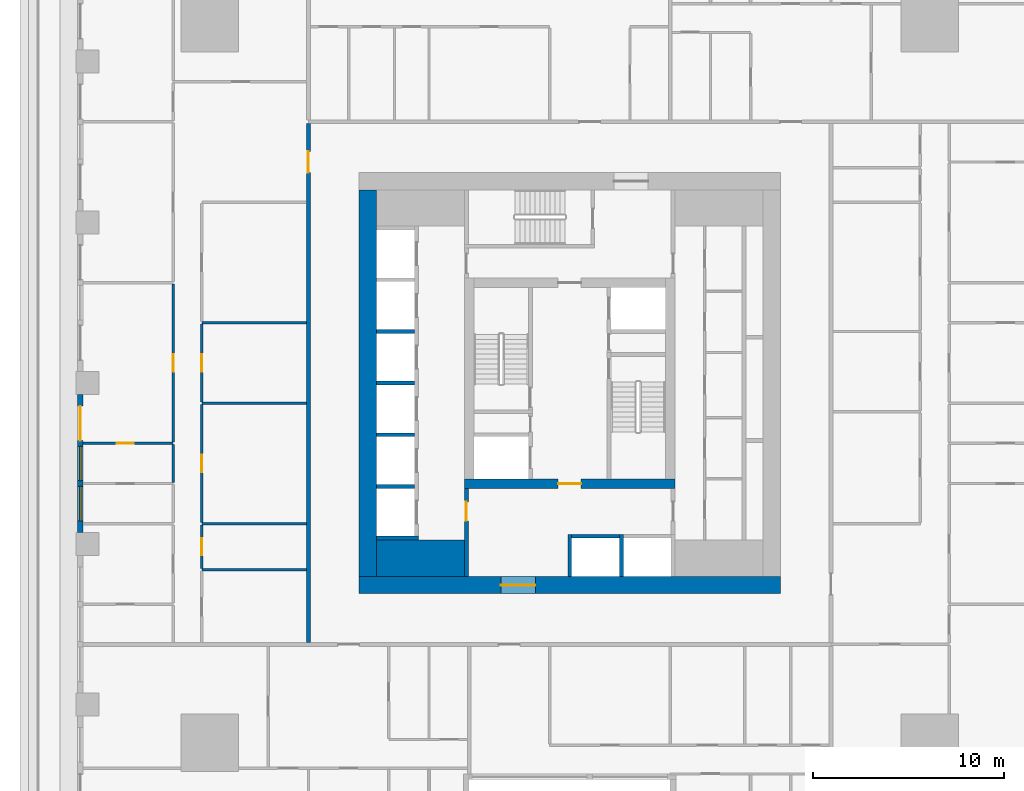
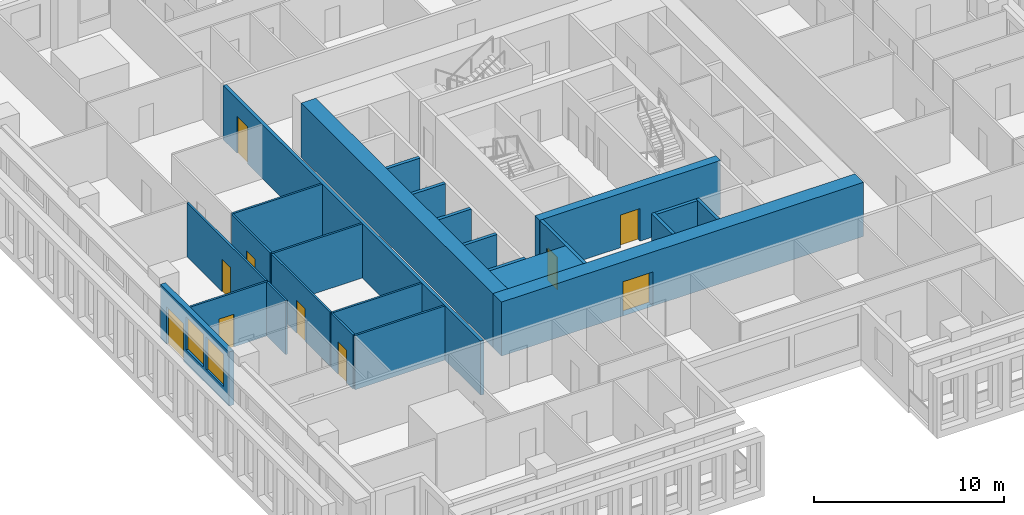
# One storey, part 3 of 15: 25 walls, 10 doors, 2 windows, 12 openings.
"""IFC4 building model written with IfcOpenShell, lengths in metres."""

from ifc_helpers import new_model, si_unit, direction, frame, frame_2d, origin, place, context, subcontext, project, spatial, rectangle, extrude, material, layer, layer_set, type_object, element, fill, save


model = new_model("IFC4")

# Units and contexts
model_context = context("Model", 3, precision=1e-05, world=origin(), true_north=direction((0.0, 1.0)))
body_context = subcontext(model_context, "Body", "Model", "MODEL_VIEW")
ifc_project = project(units=[si_unit("LENGTHUNIT", "METRE"), si_unit("AREAUNIT", "SQUARE_METRE"), si_unit("VOLUMEUNIT", "CUBIC_METRE"), si_unit("PLANEANGLEUNIT", "RADIAN"), si_unit("MASSUNIT", "GRAM", prefix="KILO")], contexts=[model_context])

# Site, building, storey
site_placement = place(None, origin())
site = spatial("IfcSite", under=ifc_project, at=site_placement, CompositionType="ELEMENT")
building_placement = place(site_placement, origin())
building = spatial("IfcBuilding", under=site, at=building_placement, Name="Khepri Terraces", CompositionType="ELEMENT")
storey_placement = place(building_placement, frame((0.0, 0.0, 38.699951171875)))
storey = spatial("IfcBuildingStorey", under=building, at=storey_placement, Name="L08", CompositionType="ELEMENT", Elevation=38.699951171875)

# Walls
ifc_material_1 = material(Name="Concrete C80/95", Category="concrete")
ifc_layer_1 = layer(ifc_material_1, 1.89990234375, Name="Concrete C80/95", Category="concrete")
ifc_layer_set_1 = layer_set([ifc_layer_1], Name="Concrete C80/95")
wall_type_1 = type_object("IfcWallType", Name="Core wall 1900 C80/95", PredefinedType="SHEAR", material=ifc_layer_set_1)
wall_1_placement = place(storey_placement, frame((-10.10009765625, -9.14990234375, 0.0), z_axis=(0.0, 0.0, 1.0), x_axis=(1.0, 0.0, 0.0)))
element("IfcWall", 1, at=wall_1_placement, inside=storey, type_object=wall_type_1, Name="Core wall PR01 L08", PredefinedType="SHEAR", context=body_context, shape_type="SweptSolid", body=[
    extrude(rectangle(XDim=4.60009765625, YDim=1.89990234375, at=frame_2d((2.300048828125, 0.0))), origin(), (0.0, 0.0, 1.0), 3.47998046875),
])
ifc_layer_2 = layer(ifc_material_1, 0.199951171875, Name="Concrete C80/95", Category="concrete")
ifc_layer_set_2 = layer_set([ifc_layer_2], Name="Concrete C80/95")
wall_type_2 = type_object("IfcWallType", Name="Core wall 200 C80/95", PredefinedType="SHEAR", material=ifc_layer_set_2)
for number, where, z_axis, x_axis, name in (
    (2, (0.0, -10.10009765625, 0.0), (0.0, 0.0, 1.0), (0.0, 1.0, 0.0), "Core wall SH01 L08"),
    (3, (2.699951171875, -10.10009765625, 0.0), (0.0, 0.0, 1.0), (0.0, 1.0, 0.0), "Core wall SH02 L08"),
    (4, (-10.10009765625, -8.10009765625, 0.0), (0.0, 0.0, 1.0), (1.0, 0.0, 0.0), "Core wall SH04 L08"),
):
    element("IfcWall", number, at=place(storey_placement, frame(where, z_axis=z_axis, x_axis=x_axis)), inside=storey, type_object=wall_type_2, Name=name, PredefinedType="SHEAR", context=body_context, shape_type="SweptSolid", body=[
        extrude(rectangle(XDim=2.2001953125, YDim=0.199951171875, at=frame_2d((1.10009765625, 0.0))), origin(), (0.0, 0.0, 1.0), 3.47998046875),
    ])
wall_2_placement = place(storey_placement, frame((0.10009765625, -8.0, 0.0), z_axis=(0.0, 0.0, 1.0), x_axis=(1.0, 0.0, 0.0)))
element("IfcWall", 5, at=wall_2_placement, inside=storey, type_object=wall_type_2, Name="Core wall SH06 L08", PredefinedType="SHEAR", context=body_context, shape_type="SweptSolid", body=[
    extrude(rectangle(XDim=2.5, YDim=0.199951171875, at=frame_2d((1.25, 0.0))), origin(), (0.0, 0.0, 1.0), 3.47998046875),
])
for number, where, z_axis, x_axis, name in (
    (6, (-10.10009765625, -5.39990234375, 0.0), (0.0, 0.0, 1.0), (1.0, 0.0, 0.0), "Core wall SH09 L08"),
    (7, (-10.10009765625, -2.699951171875, 0.0), (0.0, 0.0, 1.0), (1.0, 0.0, 0.0), "Core wall SH12 L08"),
    (8, (-10.10009765625, 0.0, 0.0), (0.0, 0.0, 1.0), (1.0, 0.0, 0.0), "Core wall SH14 L08"),
    (9, (-10.10009765625, 2.699951171875, 0.0), (0.0, 0.0, 1.0), (1.0, 0.0, 0.0), "Core wall SH17 L08"),
):
    element("IfcWall", number, at=place(storey_placement, frame(where, z_axis=z_axis, x_axis=x_axis)), inside=storey, type_object=wall_type_2, Name=name, PredefinedType="SHEAR", context=body_context, shape_type="SweptSolid", body=[
        extrude(rectangle(XDim=2.0, YDim=0.199951171875, at=frame_2d((1.0, 0.0))), origin(), (0.0, 0.0, 1.0), 3.47998046875),
    ])

# Wall, opening, door
ifc_layer_3 = layer(ifc_material_1, 0.5, Name="Concrete C80/95", Category="concrete")
ifc_layer_set_3 = layer_set([ifc_layer_3], Name="Concrete C80/95")
wall_type_3 = type_object("IfcWallType", Name="Core wall 500 C80/95", PredefinedType="SHEAR", material=ifc_layer_set_3)
wall_3_placement = place(storey_placement, frame((-5.5, -5.25, 0.0), z_axis=(0.0, 0.0, 1.0), x_axis=(1.0, 0.0, 0.0)))
wall_3 = element("IfcWall", 10, at=wall_3_placement, inside=storey, type_object=wall_type_3, Name="Core wall BX01 L08", PredefinedType="SHEAR", context=body_context, shape_type="SweptSolid", body=[
    extrude(rectangle(XDim=11.0, YDim=0.5, at=frame_2d((5.5, 0.0))), origin(), (0.0, 0.0, 1.0), 3.47998046875),
])
opening_1_placement = place(wall_3_placement, frame((4.89990234375, 0.0, 0.0)))
opening_1 = element("IfcOpeningElement", 11, at=opening_1_placement, cuts=wall_3, Name="Opening L08-C14", PredefinedType="OPENING", context=body_context, shape_type="SweptSolid", body=[
    extrude(rectangle(XDim=1.199951171875, YDim=2.10009765625, at=frame_2d((0.60009765625, 1.050048828125))), frame((0.0, 0.260009765625, 0.0), z_axis=(0.0, -1.0, 0.0), x_axis=(1.0, 0.0, 0.0)), (0.0, 0.0, 1.0), 0.52001953125),
])
ifc_material_2 = material(Name="Painted steel", Category="steel")
door_type_1 = type_object("IfcDoorType", Name="DR-CORE-FF-LOBBY-1200", OperationType="NOTDEFINED", PredefinedType="DOOR", material=ifc_material_2)
door_1_placement = place(opening_1_placement, origin())
door_1 = element("IfcDoor", 12, at=door_1_placement, inside=storey, type_object=door_type_1, Name="Firefighting lobby door L08-C14", OperationType="SINGLE_SWING_RIGHT", OverallHeight=2.10009765625, OverallWidth=1.199951171875, PredefinedType="DOOR", context=body_context, shape_type="SweptSolid", body=[
    extrude(rectangle(XDim=1.199951171875, YDim=2.10009765625, at=frame_2d((0.60009765625, 1.050048828125))), frame((0.0, 0.02490234375, 0.0), z_axis=(0.0, -1.0, 0.0), x_axis=(1.0, 0.0, 0.0)), (0.0, 0.0, 1.0), 0.050048828125),
])
fill(opening_1, door_1)

ifc_layer_4 = layer(ifc_material_1, 0.89990234375, Name="Concrete C80/95", Category="concrete")
ifc_layer_set_4 = layer_set([ifc_layer_4], Name="Concrete C80/95")
wall_type_4 = type_object("IfcWallType", Name="Core wall 900 C80/95", PredefinedType="SHEAR", material=ifc_layer_set_4)
wall_4_placement = place(storey_placement, frame((-11.0, -10.550048828125, 0.0), z_axis=(0.0, 0.0, 1.0), x_axis=(1.0, 0.0, 0.0)))
wall_4 = element("IfcWall", 13, at=wall_4_placement, inside=storey, type_object=wall_type_4, Name="Core wall OW-S L08", PredefinedType="SHEAR", context=body_context, shape_type="SweptSolid", body=[
    extrude(rectangle(XDim=22.0, YDim=0.89990234375, at=frame_2d((11.0, 0.0))), origin(), (0.0, 0.0, 1.0), 3.47998046875),
])
opening_2_placement = place(wall_4_placement, frame((7.39990234375, 0.0, 0.0)))
opening_2 = element("IfcOpeningElement", 14, at=opening_2_placement, cuts=wall_4, Name="Opening L08-C21", PredefinedType="OPENING", context=body_context, shape_type="SweptSolid", body=[
    extrude(rectangle(XDim=1.800048828125, YDim=2.199951171875, at=frame_2d((0.89990234375, 1.10009765625))), frame((0.0, 0.4599609375, 0.0), z_axis=(0.0, -1.0, 0.0), x_axis=(1.0, 0.0, 0.0)), (0.0, 0.0, 1.0), 0.919921875),
])
door_type_2 = type_object("IfcDoorType", Name="DR-CORE-ENTRANCE-1800", OperationType="NOTDEFINED", PredefinedType="DOOR", material=ifc_material_2)
door_2_placement = place(opening_2_placement, frame((1.800048828125, 0.0, 0.0), z_axis=(0.0, 0.0, 1.0), x_axis=(-1.0, 0.0, 0.0)))
door_2 = element("IfcDoor", 15, at=door_2_placement, inside=storey, type_object=door_type_2, Name="Core entrance door pair L08-C21", OperationType="DOUBLE_DOOR_SINGLE_SWING", OverallHeight=2.199951171875, OverallWidth=1.800048828125, PredefinedType="DOOR", context=body_context, shape_type="SweptSolid", body=[
    extrude(rectangle(XDim=1.800048828125, YDim=2.199951171875, at=frame_2d((0.89990234375, 1.10009765625))), frame((0.0, 0.02490234375, 0.0), z_axis=(0.0, -1.0, 0.0), x_axis=(1.0, 0.0, 0.0)), (0.0, 0.0, 1.0), 0.050048828125),
])
fill(opening_2, door_2)

# Wall
wall_5_placement = place(storey_placement, frame((-10.550048828125, -10.10009765625, 0.0), z_axis=(0.0, 0.0, 1.0), x_axis=(0.0, 1.0, 0.0)))
element("IfcWall", 16, at=wall_5_placement, inside=storey, type_object=wall_type_4, Name="Core wall OW-W L08", PredefinedType="SHEAR", context=body_context, shape_type="SweptSolid", body=[
    extrude(rectangle(XDim=20.2001953125, YDim=0.89990234375, at=frame_2d((10.10009765625, 0.0))), origin(), (0.0, 0.0, 1.0), 3.47998046875),
])

# Wall, opening, door
ifc_material_3 = material(Name="Fire-rated gypsum board partition")
ifc_layer_5 = layer(ifc_material_3, 0.199951171875, Name="Fire-rated gypsum board partition")
ifc_layer_set_5 = layer_set([ifc_layer_5], Name="Fire-rated gypsum board partition")
wall_type_5 = type_object("IfcWallType", Name="WL-CORE-PART-200", PredefinedType="PARTITIONING", material=ifc_layer_set_5)
wall_6_placement = place(storey_placement, frame((-5.39990234375, -10.10009765625, 0.0), z_axis=(0.0, 0.0, 1.0), x_axis=(0.0, 1.0, 0.0)))
wall_6 = element("IfcWall", 17, at=wall_6_placement, inside=storey, type_object=wall_type_5, Name="Core partition PT01 L08", PredefinedType="PARTITIONING", context=body_context, shape_type="SweptSolid", body=[
    extrude(rectangle(XDim=4.60009765625, YDim=0.199951171875, at=frame_2d((2.300048828125, 0.0))), origin(), (0.0, 0.0, 1.0), 3.47998046875),
])
opening_3_placement = place(wall_6_placement, frame((2.89990234375, 0.0, 0.0)))
opening_3 = element("IfcOpeningElement", 18, at=opening_3_placement, cuts=wall_6, Name="Opening L08-C18", PredefinedType="OPENING", context=body_context, shape_type="SweptSolid", body=[
    extrude(rectangle(XDim=1.0, YDim=2.10009765625, at=frame_2d((0.5, 1.050048828125))), frame((0.0, 0.10986328125, 0.0), z_axis=(0.0, -1.0, 0.0), x_axis=(1.0, 0.0, 0.0)), (0.0, 0.0, 1.0), 0.219970703125),
])
door_type_3 = type_object("IfcDoorType", Name="DR-CORE-LOBBY-1000", OperationType="NOTDEFINED", PredefinedType="DOOR", material=ifc_material_2)
door_3_placement = place(opening_3_placement, frame((1.0, 0.0, 0.0), z_axis=(0.0, 0.0, 1.0), x_axis=(-1.0, 0.0, 0.0)))
door_3 = element("IfcDoor", 19, at=door_3_placement, inside=storey, type_object=door_type_3, Name="Lobby door L08-C18", OperationType="SINGLE_SWING_LEFT", OverallHeight=2.10009765625, OverallWidth=1.0, PredefinedType="DOOR", context=body_context, shape_type="SweptSolid", body=[
    extrude(rectangle(XDim=1.0, YDim=2.10009765625, at=frame_2d((0.5, 1.050048828125))), frame((0.0, 0.02490234375, 0.0), z_axis=(0.0, -1.0, 0.0), x_axis=(1.0, 0.0, 0.0)), (0.0, 0.0, 1.0), 0.050048828125),
])
fill(opening_3, door_3)

ifc_material_4 = material(Name="Fire-rated gypsum plasterboard partition, mineral wool")
ifc_layer_6 = layer(ifc_material_4, 0.199951171875, Name="Fire-rated gypsum plasterboard partition, mineral wool")
ifc_layer_set_6 = layer_set([ifc_layer_6], Name="Fire-rated gypsum plasterboard partition, mineral wool")
wall_type_6 = type_object("IfcWallType", Name="WL-CORR-200", PredefinedType="PARTITIONING", material=ifc_layer_set_6)
wall_7_placement = place(storey_placement, frame((-13.64990234375, -13.550048828125, 0.0), z_axis=(0.0, 0.0, 1.0), x_axis=(0.0, 1.0, 0.0)))
wall_7 = element("IfcWall", 20, at=wall_7_placement, inside=storey, type_object=wall_type_6, Name="Partition P-028 L08", PredefinedType="PARTITIONING", context=body_context, shape_type="SweptSolid", body=[
    extrude(rectangle(XDim=27.10009765625, YDim=0.199951171875, at=frame_2d((13.550048828125, 0.0))), origin(), (0.0, 0.0, 1.0), 3.47998046875),
])
opening_4_placement = place(wall_7_placement, frame((24.550048828125, 0.0, 0.0)))
opening_4 = element("IfcOpeningElement", 21, at=opening_4_placement, cuts=wall_7, Name="Opening D1", PredefinedType="OPENING", context=body_context, shape_type="SweptSolid", body=[
    extrude(rectangle(XDim=1.10009765625, YDim=2.39990234375, at=frame_2d((0.550048828125, 1.199951171875))), frame((0.0, 0.10986328125, 0.0), z_axis=(0.0, -1.0, 0.0), x_axis=(1.0, 0.0, 0.0)), (0.0, 0.0, 1.0), 0.219970703125),
])
ifc_material_5 = material(Name="Solid-core timber door leaf, flat entrance door", Category="wood")
door_type_4 = type_object("IfcDoorType", Name="DR-ENT-1100", OperationType="NOTDEFINED", PredefinedType="DOOR", material=ifc_material_5)
door_4_placement = place(opening_4_placement, origin())
door_4 = element("IfcDoor", 22, at=door_4_placement, inside=storey, type_object=door_type_4, Name="Flat D1 entrance door", OperationType="SINGLE_SWING_RIGHT", OverallHeight=2.39990234375, OverallWidth=1.10009765625, PredefinedType="DOOR", context=body_context, shape_type="SweptSolid", body=[
    extrude(rectangle(XDim=1.10009765625, YDim=2.39990234375, at=frame_2d((0.550048828125, 1.199951171875))), frame((0.0, 0.02490234375, 0.0), z_axis=(0.0, -1.0, 0.0), x_axis=(1.0, 0.0, 0.0)), (0.0, 0.0, 1.0), 0.050048828125),
])
fill(opening_4, door_4)

# Wall, openings, door, windows
ifc_material_6 = material(Name="Precast concrete C50/60 warm stone", Category="masonry")
ifc_layer_7 = layer(ifc_material_6, 0.300048828125, Name="Precast concrete C50/60 warm stone", Category="masonry")
ifc_layer_set_7 = layer_set([ifc_layer_7], Name="Precast concrete C50/60 warm stone")
wall_type_7 = type_object("IfcWallType", Name="WL-EXT-PRECAST-300", PredefinedType="STANDARD", material=ifc_layer_set_7)
wall_8_placement = place(storey_placement, frame((-25.570068359375, -0.60009765625, 0.0), z_axis=(0.0, 0.0, 1.0), x_axis=(0.0, -1.0, 0.0)))
wall_8 = element("IfcWall", 23, at=wall_8_placement, inside=storey, type_object=wall_type_7, Name="External wall L08 W", PredefinedType="STANDARD", context=body_context, shape_type="SweptSolid", body=[
    extrude(rectangle(XDim=7.199951171875, YDim=0.300048828125, at=frame_2d((3.60009765625, 0.0))), origin(), (0.0, 0.0, 1.0), 3.47998046875),
])
opening_5_placement = place(wall_8_placement, frame((0.60009765625, 0.0, 0.0)))
opening_5 = element("IfcOpeningElement", 24, at=opening_5_placement, cuts=wall_8, Name="Opening ED-L08-17", PredefinedType="OPENING", context=body_context, shape_type="SweptSolid", body=[
    extrude(rectangle(XDim=1.800048828125, YDim=2.39990234375, at=frame_2d((0.89990234375, 1.199951171875))), frame((0.0, 0.16015625, 0.0), z_axis=(0.0, -1.0, 0.0), x_axis=(1.0, 0.0, 0.0)), (0.0, 0.0, 1.0), 0.320068359375),
])
opening_6_placement = place(wall_8_placement, frame((2.699951171875, 0.0, 0.89990234375)))
opening_6 = element("IfcOpeningElement", 25, at=opening_6_placement, cuts=wall_8, Name="Opening W1", PredefinedType="OPENING", context=body_context, shape_type="SweptSolid", body=[
    extrude(rectangle(XDim=1.800048828125, YDim=2.10009765625, at=frame_2d((0.89990234375, 1.050048828125))), frame((0.0, 0.16015625, 0.0), z_axis=(0.0, -1.0, 0.0), x_axis=(1.0, 0.0, 0.0)), (0.0, 0.0, 1.0), 0.320068359375),
])
opening_7_placement = place(wall_8_placement, frame((4.800048828125, 0.0, 0.89990234375)))
opening_7 = element("IfcOpeningElement", 26, at=opening_7_placement, cuts=wall_8, Name="Opening W1", PredefinedType="OPENING", context=body_context, shape_type="SweptSolid", body=[
    extrude(rectangle(XDim=1.800048828125, YDim=2.10009765625, at=frame_2d((0.89990234375, 1.050048828125))), frame((0.0, 0.16015625, 0.0), z_axis=(0.0, -1.0, 0.0), x_axis=(1.0, 0.0, 0.0)), (0.0, 0.0, 1.0), 0.320068359375),
])
ifc_material_7 = material(Name="Anodised aluminium bronze glazed door", Category="aluminium")
door_type_5 = type_object("IfcDoorType", Name="DR-BAL-SLIDE-1800x2400", OperationType="NOTDEFINED", PredefinedType="DOOR", material=ifc_material_7)
door_5_placement = place(opening_5_placement, origin())
door_5 = element("IfcDoor", 27, at=door_5_placement, inside=storey, type_object=door_type_5, Name="Balcony door L08 W", OperationType="SLIDING_TO_LEFT", OverallHeight=2.39990234375, OverallWidth=1.800048828125, PredefinedType="DOOR", context=body_context, shape_type="SweptSolid", body=[
    extrude(rectangle(XDim=1.800048828125, YDim=2.39990234375, at=frame_2d((0.89990234375, 1.199951171875))), frame((0.0, 0.02490234375, 0.0), z_axis=(0.0, -1.0, 0.0), x_axis=(1.0, 0.0, 0.0)), (0.0, 0.0, 1.0), 0.050048828125),
])
fill(opening_5, door_5)
ifc_material_8 = material(Name="Clear glass", Category="glass")
window_type = type_object("IfcWindowType", Name="WIN-RES-1800x2100", PartitioningType="SINGLE_PANEL", PredefinedType="WINDOW", material=ifc_material_8)
window_1_placement = place(opening_6_placement, origin())
window_1 = element("IfcWindow", 28, at=window_1_placement, inside=storey, type_object=window_type, Name="Window L08 W", OverallHeight=2.10009765625, OverallWidth=1.800048828125, PartitioningType="SINGLE_PANEL", PredefinedType="WINDOW", context=body_context, shape_type="SweptSolid", body=[
    extrude(rectangle(XDim=1.800048828125, YDim=2.10009765625, at=frame_2d((0.89990234375, 1.050048828125))), frame((0.0, 0.030029296875, 0.0), z_axis=(0.0, -1.0, 0.0), x_axis=(1.0, 0.0, 0.0)), (0.0, 0.0, 1.0), 0.06005859375),
])
fill(opening_6, window_1)
window_2_placement = place(opening_7_placement, origin())
window_2 = element("IfcWindow", 29, at=window_2_placement, inside=storey, type_object=window_type, Name="Window L08 W", OverallHeight=2.10009765625, OverallWidth=1.800048828125, PartitioningType="SINGLE_PANEL", PredefinedType="WINDOW", context=body_context, shape_type="SweptSolid", body=[
    extrude(rectangle(XDim=1.800048828125, YDim=2.10009765625, at=frame_2d((0.89990234375, 1.050048828125))), frame((0.0, 0.030029296875, 0.0), z_axis=(0.0, -1.0, 0.0), x_axis=(1.0, 0.0, 0.0)), (0.0, 0.0, 1.0), 0.06005859375),
])
fill(opening_7, window_2)

# Wall
ifc_material_9 = material(Name="Gypsum plasterboard partition")
ifc_layer_8 = layer(ifc_material_9, 0.1201171875, Name="Gypsum plasterboard partition")
ifc_layer_set_8 = layer_set([ifc_layer_8], Name="Gypsum plasterboard partition")
wall_type_8 = type_object("IfcWallType", Name="WL-PART-120", PredefinedType="PARTITIONING", material=ifc_layer_set_8)
wall_9_placement = place(storey_placement, frame((-19.219970703125, -9.75, 0.0), z_axis=(0.0, 0.0, 1.0), x_axis=(1.0, 0.0, 0.0)))
element("IfcWall", 30, at=wall_9_placement, inside=storey, type_object=wall_type_8, Name="Partition P-034 L08", PredefinedType="PARTITIONING", context=body_context, shape_type="SweptSolid", body=[
    extrude(rectangle(XDim=5.469970703125, YDim=0.1201171875, at=frame_2d((2.73486328125, 0.0))), origin(), (0.0, 0.0, 1.0), 3.47998046875),
])

# Wall, opening, door
wall_10_placement = place(storey_placement, frame((-19.219970703125, -9.68994140625, 0.0), z_axis=(0.0, 0.0, 1.0), x_axis=(0.0, 1.0, 0.0)))
wall_10 = element("IfcWall", 31, at=wall_10_placement, inside=storey, type_object=wall_type_8, Name="Partition P-035 L08", PredefinedType="PARTITIONING", context=body_context, shape_type="SweptSolid", body=[
    extrude(rectangle(XDim=2.280029296875, YDim=0.1201171875, at=frame_2d((1.14013671875, 0.0))), origin(), (0.0, 0.0, 1.0), 3.47998046875),
])
opening_8_placement = place(wall_10_placement, frame((0.68994140625, 0.0, 0.0)))
opening_8 = element("IfcOpeningElement", 32, at=opening_8_placement, cuts=wall_10, Name="Opening D4", PredefinedType="OPENING", context=body_context, shape_type="SweptSolid", body=[
    extrude(rectangle(XDim=0.89990234375, YDim=2.10009765625, at=frame_2d((0.449951171875, 1.050048828125))), frame((0.0, 0.070068359375, 0.0), z_axis=(0.0, -1.0, 0.0), x_axis=(1.0, 0.0, 0.0)), (0.0, 0.0, 1.0), 0.14013671875),
])
ifc_material_10 = material(Name="Timber door leaf, moisture resistant", Category="wood")
door_type_6 = type_object("IfcDoorType", Name="DR-WET-900", OperationType="NOTDEFINED", PredefinedType="DOOR", material=ifc_material_10)
door_6_placement = place(opening_8_placement, frame((0.89990234375, 0.0, 0.0), z_axis=(0.0, 0.0, 1.0), x_axis=(-1.0, 0.0, 0.0)))
door_6 = element("IfcDoor", 33, at=door_6_placement, inside=storey, type_object=door_type_6, Name="Door Powder Room", OperationType="SINGLE_SWING_RIGHT", OverallHeight=2.10009765625, OverallWidth=0.89990234375, PredefinedType="DOOR", context=body_context, shape_type="SweptSolid", body=[
    extrude(rectangle(XDim=0.89990234375, YDim=2.10009765625, at=frame_2d((0.449951171875, 1.050048828125))), frame((0.0, 0.02490234375, 0.0), z_axis=(0.0, -1.0, 0.0), x_axis=(1.0, 0.0, 0.0)), (0.0, 0.0, 1.0), 0.050048828125),
])
fill(opening_8, door_6)

# Wall
wall_11_placement = place(storey_placement, frame((-19.219970703125, -7.35009765625, 0.0), z_axis=(0.0, 0.0, 1.0), x_axis=(1.0, 0.0, 0.0)))
element("IfcWall", 34, at=wall_11_placement, inside=storey, type_object=wall_type_8, Name="Partition P-037 L08", PredefinedType="PARTITIONING", context=body_context, shape_type="SweptSolid", body=[
    extrude(rectangle(XDim=5.469970703125, YDim=0.1201171875, at=frame_2d((2.73486328125, 0.0))), origin(), (0.0, 0.0, 1.0), 3.47998046875),
])

# Wall, opening, door
wall_12_placement = place(storey_placement, frame((-19.219970703125, -7.2900390625, 0.0), z_axis=(0.0, 0.0, 1.0), x_axis=(0.0, 1.0, 0.0)))
wall_12 = element("IfcWall", 35, at=wall_12_placement, inside=storey, type_object=wall_type_8, Name="Partition P-040 L08", PredefinedType="PARTITIONING", context=body_context, shape_type="SweptSolid", body=[
    extrude(rectangle(XDim=6.179931640625, YDim=0.1201171875, at=frame_2d((3.08984375, 0.0))), origin(), (0.0, 0.0, 1.0), 3.47998046875),
])
opening_9_placement = place(wall_12_placement, frame((2.639892578125, 0.0, 0.0)))
opening_9 = element("IfcOpeningElement", 36, at=opening_9_placement, cuts=wall_12, Name="Opening D3", PredefinedType="OPENING", context=body_context, shape_type="SweptSolid", body=[
    extrude(rectangle(XDim=0.89990234375, YDim=2.10009765625, at=frame_2d((0.449951171875, 1.050048828125))), frame((0.0, 0.070068359375, 0.0), z_axis=(0.0, -1.0, 0.0), x_axis=(1.0, 0.0, 0.0)), (0.0, 0.0, 1.0), 0.14013671875),
])
ifc_material_11 = material(Name="Timber door leaf", Category="wood")
door_type_7 = type_object("IfcDoorType", Name="DR-INT-900", OperationType="NOTDEFINED", PredefinedType="DOOR", material=ifc_material_11)
door_7_placement = place(opening_9_placement, frame((0.89990234375, 0.0, 0.0), z_axis=(0.0, 0.0, 1.0), x_axis=(-1.0, 0.0, 0.0)))
door_7 = element("IfcDoor", 37, at=door_7_placement, inside=storey, type_object=door_type_7, Name="Door Staff Bedroom", OperationType="SINGLE_SWING_LEFT", OverallHeight=2.10009765625, OverallWidth=0.89990234375, PredefinedType="DOOR", context=body_context, shape_type="SweptSolid", body=[
    extrude(rectangle(XDim=0.89990234375, YDim=2.10009765625, at=frame_2d((0.449951171875, 1.050048828125))), frame((0.0, 0.02490234375, 0.0), z_axis=(0.0, -1.0, 0.0), x_axis=(1.0, 0.0, 0.0)), (0.0, 0.0, 1.0), 0.050048828125),
])
fill(opening_9, door_7)

# Wall
wall_13_placement = place(storey_placement, frame((-20.719970703125, -5.18994140625, 0.0), z_axis=(0.0, 0.0, 1.0), x_axis=(0.0, 1.0, 0.0)))
element("IfcWall", 38, at=wall_13_placement, inside=storey, type_object=wall_type_8, Name="Partition P-044 L08", PredefinedType="PARTITIONING", context=body_context, shape_type="SweptSolid", body=[
    extrude(rectangle(XDim=1.97998046875, YDim=0.1201171875, at=frame_2d((0.989990234375, 0.0))), origin(), (0.0, 0.0, 1.0), 3.47998046875),
])

# Wall, opening, door
wall_14_placement = place(storey_placement, frame((-25.419921875, -3.14990234375, 0.0), z_axis=(0.0, 0.0, 1.0), x_axis=(1.0, 0.0, 0.0)))
wall_14 = element("IfcWall", 39, at=wall_14_placement, inside=storey, type_object=wall_type_8, Name="Partition P-046 L08", PredefinedType="PARTITIONING", context=body_context, shape_type="SweptSolid", body=[
    extrude(rectangle(XDim=4.699951171875, YDim=0.1201171875, at=frame_2d((2.35009765625, 0.0))), origin(), (0.0, 0.0, 1.0), 3.47998046875),
])
opening_10_placement = place(wall_14_placement, frame((1.75, 0.0, 0.0)))
opening_10 = element("IfcOpeningElement", 40, at=opening_10_placement, cuts=wall_14, Name="Opening D3", PredefinedType="OPENING", context=body_context, shape_type="SweptSolid", body=[
    extrude(rectangle(XDim=0.89990234375, YDim=2.10009765625, at=frame_2d((0.449951171875, 1.050048828125))), frame((0.0, 0.070068359375, 0.0), z_axis=(0.0, -1.0, 0.0), x_axis=(1.0, 0.0, 0.0)), (0.0, 0.0, 1.0), 0.14013671875),
])
door_8_placement = place(opening_10_placement, frame((0.89990234375, 0.0, 0.0), z_axis=(0.0, 0.0, 1.0), x_axis=(-1.0, 0.0, 0.0)))
door_8 = element("IfcDoor", 41, at=door_8_placement, inside=storey, type_object=door_type_7, Name="Door Dressing Room", OperationType="SINGLE_SWING_RIGHT", OverallHeight=2.10009765625, OverallWidth=0.89990234375, PredefinedType="DOOR", context=body_context, shape_type="SweptSolid", body=[
    extrude(rectangle(XDim=0.89990234375, YDim=2.10009765625, at=frame_2d((0.449951171875, 1.050048828125))), frame((0.0, 0.02490234375, 0.0), z_axis=(0.0, -1.0, 0.0), x_axis=(1.0, 0.0, 0.0)), (0.0, 0.0, 1.0), 0.050048828125),
])
fill(opening_10, door_8)

wall_15_placement = place(storey_placement, frame((-20.719970703125, -3.090087890625, 0.0), z_axis=(0.0, 0.0, 1.0), x_axis=(0.0, 1.0, 0.0)))
wall_15 = element("IfcWall", 42, at=wall_15_placement, inside=storey, type_object=wall_type_8, Name="Partition P-048 L08", PredefinedType="PARTITIONING", context=body_context, shape_type="SweptSolid", body=[
    extrude(rectangle(XDim=8.280029296875, YDim=0.1201171875, at=frame_2d((4.14013671875, 0.0))), origin(), (0.0, 0.0, 1.0), 3.47998046875),
])
opening_11_placement = place(wall_15_placement, frame((3.68994140625, 0.0, 0.0)))
opening_11 = element("IfcOpeningElement", 43, at=opening_11_placement, cuts=wall_15, Name="Opening D3", PredefinedType="OPENING", context=body_context, shape_type="SweptSolid", body=[
    extrude(rectangle(XDim=0.89990234375, YDim=2.10009765625, at=frame_2d((0.449951171875, 1.050048828125))), frame((0.0, 0.070068359375, 0.0), z_axis=(0.0, -1.0, 0.0), x_axis=(1.0, 0.0, 0.0)), (0.0, 0.0, 1.0), 0.14013671875),
])
door_9_placement = place(opening_11_placement, origin())
door_9 = element("IfcDoor", 44, at=door_9_placement, inside=storey, type_object=door_type_7, Name="Door Master Bedroom", OperationType="SINGLE_SWING_LEFT", OverallHeight=2.10009765625, OverallWidth=0.89990234375, PredefinedType="DOOR", context=body_context, shape_type="SweptSolid", body=[
    extrude(rectangle(XDim=0.89990234375, YDim=2.10009765625, at=frame_2d((0.449951171875, 1.050048828125))), frame((0.0, 0.02490234375, 0.0), z_axis=(0.0, -1.0, 0.0), x_axis=(1.0, 0.0, 0.0)), (0.0, 0.0, 1.0), 0.050048828125),
])
fill(opening_11, door_9)

# Wall
wall_16_placement = place(storey_placement, frame((-19.219970703125, -1.050048828125, 0.0), z_axis=(0.0, 0.0, 1.0), x_axis=(1.0, 0.0, 0.0)))
element("IfcWall", 45, at=wall_16_placement, inside=storey, type_object=wall_type_8, Name="Partition P-052 L08", PredefinedType="PARTITIONING", context=body_context, shape_type="SweptSolid", body=[
    extrude(rectangle(XDim=5.469970703125, YDim=0.1201171875, at=frame_2d((2.73486328125, 0.0))), origin(), (0.0, 0.0, 1.0), 3.47998046875),
])

# Wall, opening, door
wall_17_placement = place(storey_placement, frame((-19.219970703125, -0.989990234375, 0.0), z_axis=(0.0, 0.0, 1.0), x_axis=(0.0, 1.0, 0.0)))
wall_17 = element("IfcWall", 46, at=wall_17_placement, inside=storey, type_object=wall_type_8, Name="Partition P-054 L08", PredefinedType="PARTITIONING", context=body_context, shape_type="SweptSolid", body=[
    extrude(rectangle(XDim=4.080078125, YDim=0.1201171875, at=frame_2d((2.0400390625, 0.0))), origin(), (0.0, 0.0, 1.0), 3.47998046875),
])
opening_12_placement = place(wall_17_placement, frame((1.590087890625, 0.0, 0.0)))
opening_12 = element("IfcOpeningElement", 47, at=opening_12_placement, cuts=wall_17, Name="Opening D3", PredefinedType="OPENING", context=body_context, shape_type="SweptSolid", body=[
    extrude(rectangle(XDim=0.89990234375, YDim=2.10009765625, at=frame_2d((0.449951171875, 1.050048828125))), frame((0.0, 0.070068359375, 0.0), z_axis=(0.0, -1.0, 0.0), x_axis=(1.0, 0.0, 0.0)), (0.0, 0.0, 1.0), 0.14013671875),
])
door_10_placement = place(opening_12_placement, frame((0.89990234375, 0.0, 0.0), z_axis=(0.0, 0.0, 1.0), x_axis=(-1.0, 0.0, 0.0)))
door_10 = element("IfcDoor", 48, at=door_10_placement, inside=storey, type_object=door_type_7, Name="Door Service Kitchen", OperationType="SINGLE_SWING_LEFT", OverallHeight=2.10009765625, OverallWidth=0.89990234375, PredefinedType="DOOR", context=body_context, shape_type="SweptSolid", body=[
    extrude(rectangle(XDim=0.89990234375, YDim=2.10009765625, at=frame_2d((0.449951171875, 1.050048828125))), frame((0.0, 0.02490234375, 0.0), z_axis=(0.0, -1.0, 0.0), x_axis=(1.0, 0.0, 0.0)), (0.0, 0.0, 1.0), 0.050048828125),
])
fill(opening_12, door_10)

# Wall
wall_18_placement = place(storey_placement, frame((-19.219970703125, 3.14990234375, 0.0), z_axis=(0.0, 0.0, 1.0), x_axis=(1.0, 0.0, 0.0)))
element("IfcWall", 49, at=wall_18_placement, inside=storey, type_object=wall_type_8, Name="Partition P-058 L08", PredefinedType="PARTITIONING", context=body_context, shape_type="SweptSolid", body=[
    extrude(rectangle(XDim=5.469970703125, YDim=0.1201171875, at=frame_2d((2.73486328125, 0.0))), origin(), (0.0, 0.0, 1.0), 3.47998046875),
])

save(model, "model.ifc")
